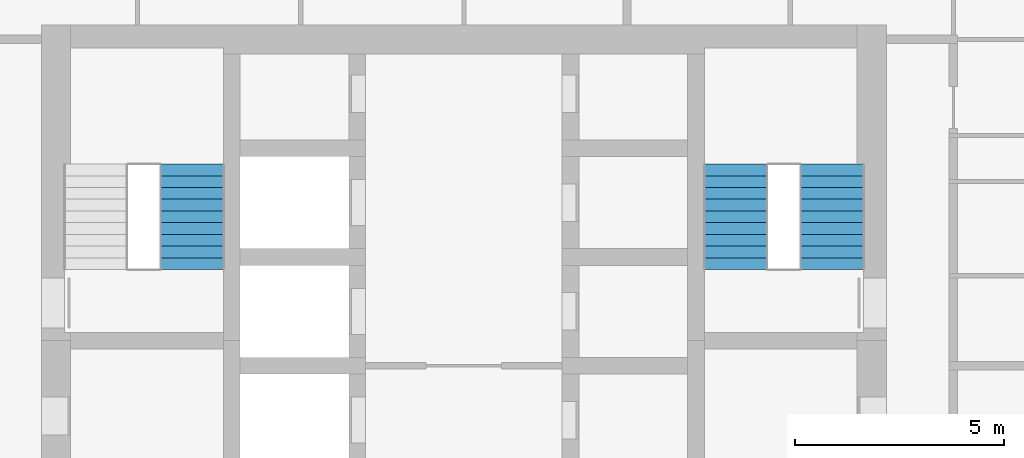
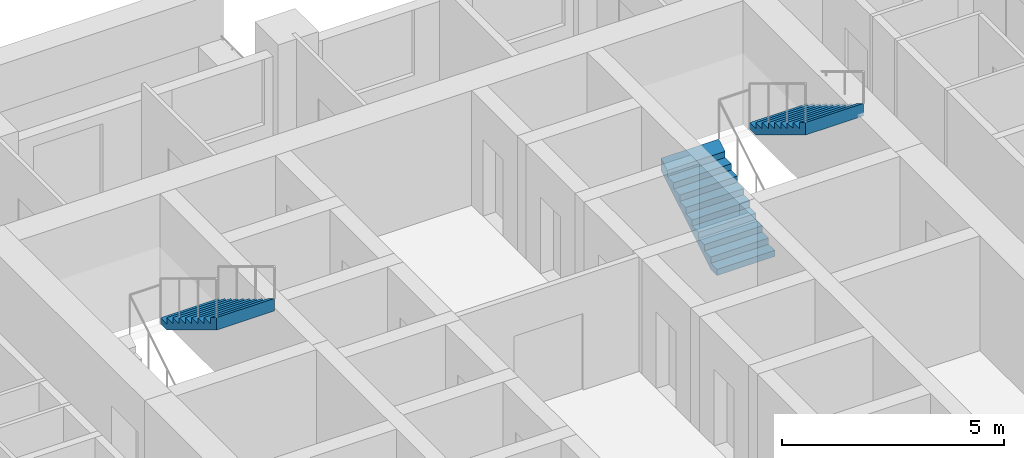
# One storey, part 15 of 17: 3 stair flights, 2 elements without a shape of their own.
"""IFC4 building model written with IfcOpenShell, lengths in metres."""

from ifc_helpers import new_model, si_unit, direction, frame, origin, place, context, subcontext, project, spatial, triangles, material, type_object, element, aggregate, save


model = new_model("IFC4")

# Units and contexts
model_context = context("Model", 3, precision=1e-05, world=origin(), true_north=direction((0.0, 1.0)))
body_context = subcontext(model_context, "Body", "Model", "MODEL_VIEW")
ifc_project = project(units=[si_unit("LENGTHUNIT", "METRE"), si_unit("AREAUNIT", "SQUARE_METRE"), si_unit("VOLUMEUNIT", "CUBIC_METRE"), si_unit("PLANEANGLEUNIT", "RADIAN"), si_unit("MASSUNIT", "GRAM", prefix="KILO")], contexts=[model_context])

# Site, building, storey
site_placement = place(None, origin())
site = spatial("IfcSite", under=ifc_project, at=site_placement, CompositionType="ELEMENT")
building_placement = place(site_placement, origin())
building = spatial("IfcBuilding", under=site, at=building_placement, Name="Ludao Terraces", CompositionType="ELEMENT")
storey_placement = place(building_placement, frame((0.0, 0.0, 22.89990234375)))
storey = spatial("IfcBuildingStorey", under=building, at=storey_placement, Name="L05", CompositionType="ELEMENT", Elevation=22.89990234375)

# Stair, stair flight
ifc_material = material(Name="Concrete C40", Category="concrete")
stair_type = type_object("IfcStairType", Name="INT Stair", PredefinedType="HALF_TURN_STAIR", material=ifc_material)
stair_1_placement = place(storey_placement, origin())
stair_1 = element("IfcStair", 1, at=stair_1_placement, inside=storey, type_object=stair_type, Name="EXIT STAIR 1", PredefinedType="HALF_TURN_STAIR")
stair_flight_type = type_object("IfcStairFlightType", Name="INT Stair flight", PredefinedType="STRAIGHT", material=ifc_material)
stair_flight_1_placement = place(storey_placement, frame((78.5, 81.52001953125, 1.7001953125), z_axis=(0.0, 0.0, 1.0), x_axis=(0.0, -1.0, 0.0)))
stair_flight_1 = element("IfcStairFlight", 2, at=stair_flight_1_placement, type_object=stair_flight_type, Name="ST1 flight 2", NumberOfRisers=10, NumberOfTreads=9, PredefinedType="STRAIGHT", RiserHeight=0.17, TreadLength=0.28, context=body_context, shape_type="Tessellation", body=[
    triangles([(0.0, -0.75, 0.0), (0.0, -0.5, 0.0), (0.0, -0.25, 0.0), (0.0, 0.0, 0.0), (0.0, 0.25, 0.0), (0.0, 0.5, 0.0), (0.0, 0.75, 0.0), (0.0, -0.75, 0.169921875), (0.0, -0.5, 0.169921875), (0.0, -0.25, 0.169921875), (0.0, 0.0, 0.169921875), (0.0, 0.25, 0.169921875), (0.0, 0.5, 0.169921875), (0.0, 0.75, 0.169921875), (0.280029296875, -0.75, 0.169921875), (0.280029296875, -0.5, 0.169921875), (0.280029296875, -0.25, 0.169921875), (0.280029296875, 0.0, 0.169921875), (0.280029296875, 0.25, 0.169921875), (0.280029296875, 0.5, 0.169921875), (0.280029296875, 0.75, 0.169921875), (0.280029296875, -0.75, 0.340087890625), (0.280029296875, -0.5, 0.340087890625), (0.280029296875, -0.25, 0.340087890625), (0.280029296875, 0.0, 0.340087890625), (0.280029296875, 0.25, 0.340087890625), (0.280029296875, 0.5, 0.340087890625), (0.280029296875, 0.75, 0.340087890625), (0.56005859375, -0.75, 0.340087890625), (0.56005859375, -0.5, 0.340087890625), (0.56005859375, -0.25, 0.340087890625), (0.56005859375, 0.0, 0.340087890625), (0.56005859375, 0.25, 0.340087890625), (0.56005859375, 0.5, 0.340087890625), (0.56005859375, 0.75, 0.340087890625), (0.56005859375, -0.75, 0.510009765625), (0.56005859375, -0.5, 0.510009765625), (0.56005859375, -0.25, 0.510009765625), (0.56005859375, 0.0, 0.510009765625), (0.56005859375, 0.25, 0.510009765625), (0.56005859375, 0.5, 0.510009765625), (0.56005859375, 0.75, 0.510009765625), (0.840087890625, -0.75, 0.510009765625), (0.840087890625, -0.5, 0.510009765625), (0.840087890625, -0.25, 0.510009765625), (0.840087890625, 0.0, 0.510009765625), (0.840087890625, 0.25, 0.510009765625), (0.840087890625, 0.5, 0.510009765625), (0.840087890625, 0.75, 0.510009765625), (0.840087890625, -0.75, 0.679931640625), (0.840087890625, -0.5, 0.679931640625), (0.840087890625, -0.25, 0.679931640625), (0.840087890625, 0.0, 0.679931640625), (0.840087890625, 0.25, 0.679931640625), (0.840087890625, 0.5, 0.679931640625), (0.840087890625, 0.75, 0.679931640625), (1.1201171875, -0.75, 0.679931640625), (1.1201171875, -0.5, 0.679931640625), (1.1201171875, -0.25, 0.679931640625), (1.1201171875, 0.0, 0.679931640625), (1.1201171875, 0.25, 0.679931640625), (1.1201171875, 0.5, 0.679931640625), (1.1201171875, 0.75, 0.679931640625), (1.1201171875, -0.75, 0.85009765625), (1.1201171875, -0.5, 0.85009765625), (1.1201171875, -0.25, 0.85009765625), (1.1201171875, 0.0, 0.85009765625), (1.1201171875, 0.25, 0.85009765625), (1.1201171875, 0.5, 0.85009765625), (1.1201171875, 0.75, 0.85009765625), (1.39990234375, -0.75, 0.85009765625), (1.39990234375, -0.5, 0.85009765625), (1.39990234375, -0.25, 0.85009765625), (1.39990234375, 0.0, 0.85009765625), (1.39990234375, 0.25, 0.85009765625), (1.39990234375, 0.5, 0.85009765625), (1.39990234375, 0.75, 0.85009765625), (1.39990234375, -0.75, 1.02001953125), (1.39990234375, -0.5, 1.02001953125), (1.39990234375, -0.25, 1.02001953125), (1.39990234375, 0.0, 1.02001953125), (1.39990234375, 0.25, 1.02001953125), (1.39990234375, 0.5, 1.02001953125), (1.39990234375, 0.75, 1.02001953125), (1.679931640625, -0.75, 1.02001953125), (1.679931640625, -0.5, 1.02001953125), (1.679931640625, -0.25, 1.02001953125), (1.679931640625, 0.0, 1.02001953125), (1.679931640625, 0.25, 1.02001953125), (1.679931640625, 0.5, 1.02001953125), (1.679931640625, 0.75, 1.02001953125), (1.679931640625, -0.75, 1.18994140625), (1.679931640625, -0.5, 1.18994140625), (1.679931640625, -0.25, 1.18994140625), (1.679931640625, 0.0, 1.18994140625), (1.679931640625, 0.25, 1.18994140625), (1.679931640625, 0.5, 1.18994140625), (1.679931640625, 0.75, 1.18994140625), (1.9599609375, -0.75, 1.18994140625), (1.9599609375, -0.5, 1.18994140625), (1.9599609375, -0.25, 1.18994140625), (1.9599609375, 0.0, 1.18994140625), (1.9599609375, 0.25, 1.18994140625), (1.9599609375, 0.5, 1.18994140625), (1.9599609375, 0.75, 1.18994140625), (1.9599609375, -0.75, 1.360107421875), (1.9599609375, -0.5, 1.360107421875), (1.9599609375, -0.25, 1.360107421875), (1.9599609375, 0.0, 1.360107421875), (1.9599609375, 0.25, 1.360107421875), (1.9599609375, 0.5, 1.360107421875), (1.9599609375, 0.75, 1.360107421875), (2.239990234375, -0.75, 1.360107421875), (2.239990234375, -0.5, 1.360107421875), (2.239990234375, -0.25, 1.360107421875), (2.239990234375, 0.0, 1.360107421875), (2.239990234375, 0.25, 1.360107421875), (2.239990234375, 0.5, 1.360107421875), (2.239990234375, 0.75, 1.360107421875), (2.239990234375, -0.75, 1.530029296875), (2.239990234375, -0.5, 1.530029296875), (2.239990234375, -0.25, 1.530029296875), (2.239990234375, 0.0, 1.530029296875), (2.239990234375, 0.25, 1.530029296875), (2.239990234375, 0.5, 1.530029296875), (2.239990234375, 0.75, 1.530029296875), (2.52001953125, -0.75, 1.699951171875), (2.52001953125, -0.5, 1.699951171875), (2.52001953125, -0.25, 1.699951171875), (2.52001953125, 0.0, 1.699951171875), (2.52001953125, 0.25, 1.699951171875), (2.52001953125, 0.5, 1.699951171875), (2.52001953125, 0.75, 1.699951171875), (2.52001953125, -0.75, 1.354736328125), (2.52001953125, -0.5, 1.354736328125), (2.52001953125, -0.25, 1.354736328125), (2.52001953125, 0.0, 1.354736328125), (2.52001953125, 0.25, 1.354736328125), (2.52001953125, 0.5, 1.354736328125), (2.52001953125, 0.75, 1.354736328125), (0.288818359375, -0.75, 0.0), (0.288818359375, -0.5, 0.0), (0.288818359375, -0.25, 0.0), (0.288818359375, 0.0, 0.0), (0.288818359375, 0.25, 0.0), (0.288818359375, 0.5, 0.0), (0.288818359375, 0.75, 0.0)], [[1, 141, 134], [7, 140, 147], [134, 127, 120], [140, 126, 133], [134, 120, 113], [140, 119, 126], [134, 113, 106], [140, 112, 119], [134, 106, 99], [140, 105, 112], [99, 92, 85], [105, 91, 98], [134, 99, 85], [140, 91, 105], [85, 78, 71], [91, 77, 84], [134, 85, 71], [140, 77, 91], [71, 64, 57], [77, 63, 70], [134, 71, 57], [140, 63, 77], [57, 50, 43], [63, 49, 56], [134, 57, 43], [140, 49, 63], [43, 36, 29], [49, 35, 42], [134, 43, 29], [140, 35, 49], [29, 22, 15], [35, 21, 28], [134, 29, 15], [140, 21, 35], [1, 134, 15], [7, 21, 140], [15, 8, 1], [21, 7, 14], [1, 9, 2], [1, 8, 9], [2, 10, 3], [2, 9, 10], [3, 11, 4], [3, 10, 11], [4, 12, 5], [4, 11, 12], [5, 13, 6], [5, 12, 13], [6, 14, 7], [6, 13, 14], [8, 16, 9], [8, 15, 16], [9, 17, 10], [9, 16, 17], [10, 18, 11], [10, 17, 18], [11, 19, 12], [11, 18, 19], [12, 20, 13], [12, 19, 20], [13, 21, 14], [13, 20, 21], [15, 23, 16], [15, 22, 23], [16, 24, 17], [16, 23, 24], [17, 25, 18], [17, 24, 25], [18, 26, 19], [18, 25, 26], [19, 27, 20], [19, 26, 27], [20, 28, 21], [20, 27, 28], [22, 30, 23], [22, 29, 30], [23, 31, 24], [23, 30, 31], [24, 32, 25], [24, 31, 32], [25, 33, 26], [25, 32, 33], [26, 34, 27], [26, 33, 34], [27, 35, 28], [27, 34, 35], [29, 37, 30], [29, 36, 37], [30, 38, 31], [30, 37, 38], [31, 39, 32], [31, 38, 39], [32, 40, 33], [32, 39, 40], [33, 41, 34], [33, 40, 41], [34, 42, 35], [34, 41, 42], [36, 44, 37], [36, 43, 44], [37, 45, 38], [37, 44, 45], [38, 46, 39], [38, 45, 46], [39, 47, 40], [39, 46, 47], [40, 48, 41], [40, 47, 48], [41, 49, 42], [41, 48, 49], [43, 51, 44], [43, 50, 51], [44, 52, 45], [44, 51, 52], [45, 53, 46], [45, 52, 53], [46, 54, 47], [46, 53, 54], [47, 55, 48], [47, 54, 55], [48, 56, 49], [48, 55, 56], [50, 58, 51], [50, 57, 58], [51, 59, 52], [51, 58, 59], [52, 60, 53], [52, 59, 60], [53, 61, 54], [53, 60, 61], [54, 62, 55], [54, 61, 62], [55, 63, 56], [55, 62, 63], [57, 65, 58], [57, 64, 65], [58, 66, 59], [58, 65, 66], [59, 67, 60], [59, 66, 67], [60, 68, 61], [60, 67, 68], [61, 69, 62], [61, 68, 69], [62, 70, 63], [62, 69, 70], [64, 72, 65], [64, 71, 72], [65, 73, 66], [65, 72, 73], [66, 74, 67], [66, 73, 74], [67, 75, 68], [67, 74, 75], [68, 76, 69], [68, 75, 76], [69, 77, 70], [69, 76, 77], [71, 79, 72], [71, 78, 79], [72, 80, 73], [72, 79, 80], [73, 81, 74], [73, 80, 81], [74, 82, 75], [74, 81, 82], [75, 83, 76], [75, 82, 83], [76, 84, 77], [76, 83, 84], [78, 86, 79], [78, 85, 86], [79, 87, 80], [79, 86, 87], [80, 88, 81], [80, 87, 88], [81, 89, 82], [81, 88, 89], [82, 90, 83], [82, 89, 90], [83, 91, 84], [83, 90, 91], [85, 93, 86], [85, 92, 93], [86, 94, 87], [86, 93, 94], [87, 95, 88], [87, 94, 95], [88, 96, 89], [88, 95, 96], [89, 97, 90], [89, 96, 97], [90, 98, 91], [90, 97, 98], [92, 100, 93], [92, 99, 100], [93, 101, 94], [93, 100, 101], [94, 102, 95], [94, 101, 102], [95, 103, 96], [95, 102, 103], [96, 104, 97], [96, 103, 104], [97, 105, 98], [97, 104, 105], [99, 107, 100], [99, 106, 107], [100, 108, 101], [100, 107, 108], [101, 109, 102], [101, 108, 109], [102, 110, 103], [102, 109, 110], [103, 111, 104], [103, 110, 111], [104, 112, 105], [104, 111, 112], [106, 114, 107], [106, 113, 114], [107, 115, 108], [107, 114, 115], [108, 116, 109], [108, 115, 116], [109, 117, 110], [109, 116, 117], [110, 118, 111], [110, 117, 118], [111, 119, 112], [111, 118, 119], [113, 121, 114], [113, 120, 121], [114, 122, 115], [114, 121, 122], [115, 123, 116], [115, 122, 123], [116, 124, 117], [116, 123, 124], [117, 125, 118], [117, 124, 125], [118, 126, 119], [118, 125, 126], [120, 128, 121], [120, 127, 128], [121, 129, 122], [121, 128, 129], [122, 130, 123], [122, 129, 130], [123, 131, 124], [123, 130, 131], [124, 132, 125], [124, 131, 132], [125, 133, 126], [125, 132, 133], [127, 135, 128], [127, 134, 135], [128, 136, 129], [128, 135, 136], [129, 137, 130], [129, 136, 137], [130, 138, 131], [130, 137, 138], [131, 139, 132], [131, 138, 139], [132, 140, 133], [132, 139, 140], [134, 142, 135], [134, 141, 142], [135, 143, 136], [135, 142, 143], [136, 144, 137], [136, 143, 144], [137, 145, 138], [137, 144, 145], [138, 146, 139], [138, 145, 146], [139, 147, 140], [139, 146, 147], [141, 2, 142], [141, 1, 2], [142, 3, 143], [142, 2, 3], [143, 4, 144], [143, 3, 4], [144, 5, 145], [144, 4, 5], [145, 6, 146], [145, 5, 6], [146, 7, 147], [146, 6, 7]], closed=True),
])
aggregate(stair_1, [stair_flight_1])

# Stair, stair flights
stair_2_placement = place(storey_placement, origin())
stair_2 = element("IfcStair", 3, at=stair_2_placement, inside=storey, type_object=stair_type, Name="EXIT STAIR 2", PredefinedType="HALF_TURN_STAIR")
stair_flight_2_placement = place(storey_placement, frame((91.5, 79.0, 0.0), z_axis=(0.0, 0.0, 1.0), x_axis=(0.0, 1.0, 0.0)))
stair_flight_2 = element("IfcStairFlight", 4, at=stair_flight_2_placement, type_object=stair_flight_type, Name="ST2 flight 1", NumberOfRisers=10, NumberOfTreads=9, PredefinedType="STRAIGHT", RiserHeight=0.17, TreadLength=0.28, context=body_context, shape_type="Tessellation", body=[
    triangles([(0.0, -0.75, 0.0), (0.0, -0.5, 0.0), (0.0, -0.25, 0.0), (0.0, 0.0, 0.0), (0.0, 0.25, 0.0), (0.0, 0.5, 0.0), (0.0, 0.75, 0.0), (0.0, -0.75, 0.169921875), (0.0, -0.5, 0.169921875), (0.0, -0.25, 0.169921875), (0.0, 0.0, 0.169921875), (0.0, 0.25, 0.169921875), (0.0, 0.5, 0.169921875), (0.0, 0.75, 0.169921875), (0.280029296875, -0.75, 0.169921875), (0.280029296875, -0.5, 0.169921875), (0.280029296875, -0.25, 0.169921875), (0.280029296875, 0.0, 0.169921875), (0.280029296875, 0.25, 0.169921875), (0.280029296875, 0.5, 0.169921875), (0.280029296875, 0.75, 0.169921875), (0.280029296875, -0.75, 0.340087890625), (0.280029296875, -0.5, 0.340087890625), (0.280029296875, -0.25, 0.340087890625), (0.280029296875, 0.0, 0.340087890625), (0.280029296875, 0.25, 0.340087890625), (0.280029296875, 0.5, 0.340087890625), (0.280029296875, 0.75, 0.340087890625), (0.56005859375, -0.75, 0.340087890625), (0.56005859375, -0.5, 0.340087890625), (0.56005859375, -0.25, 0.340087890625), (0.56005859375, 0.0, 0.340087890625), (0.56005859375, 0.25, 0.340087890625), (0.56005859375, 0.5, 0.340087890625), (0.56005859375, 0.75, 0.340087890625), (0.56005859375, -0.75, 0.510009765625), (0.56005859375, -0.5, 0.510009765625), (0.56005859375, -0.25, 0.510009765625), (0.56005859375, 0.0, 0.510009765625), (0.56005859375, 0.25, 0.510009765625), (0.56005859375, 0.5, 0.510009765625), (0.56005859375, 0.75, 0.510009765625), (0.840087890625, -0.75, 0.510009765625), (0.840087890625, -0.5, 0.510009765625), (0.840087890625, -0.25, 0.510009765625), (0.840087890625, 0.0, 0.510009765625), (0.840087890625, 0.25, 0.510009765625), (0.840087890625, 0.5, 0.510009765625), (0.840087890625, 0.75, 0.510009765625), (0.840087890625, -0.75, 0.679931640625), (0.840087890625, -0.5, 0.679931640625), (0.840087890625, -0.25, 0.679931640625), (0.840087890625, 0.0, 0.679931640625), (0.840087890625, 0.25, 0.679931640625), (0.840087890625, 0.5, 0.679931640625), (0.840087890625, 0.75, 0.679931640625), (1.1201171875, -0.75, 0.679931640625), (1.1201171875, -0.5, 0.679931640625), (1.1201171875, -0.25, 0.679931640625), (1.1201171875, 0.0, 0.679931640625), (1.1201171875, 0.25, 0.679931640625), (1.1201171875, 0.5, 0.679931640625), (1.1201171875, 0.75, 0.679931640625), (1.1201171875, -0.75, 0.85009765625), (1.1201171875, -0.5, 0.85009765625), (1.1201171875, -0.25, 0.85009765625), (1.1201171875, 0.0, 0.85009765625), (1.1201171875, 0.25, 0.85009765625), (1.1201171875, 0.5, 0.85009765625), (1.1201171875, 0.75, 0.85009765625), (1.39990234375, -0.75, 0.85009765625), (1.39990234375, -0.5, 0.85009765625), (1.39990234375, -0.25, 0.85009765625), (1.39990234375, 0.0, 0.85009765625), (1.39990234375, 0.25, 0.85009765625), (1.39990234375, 0.5, 0.85009765625), (1.39990234375, 0.75, 0.85009765625), (1.39990234375, -0.75, 1.02001953125), (1.39990234375, -0.5, 1.02001953125), (1.39990234375, -0.25, 1.02001953125), (1.39990234375, 0.0, 1.02001953125), (1.39990234375, 0.25, 1.02001953125), (1.39990234375, 0.5, 1.02001953125), (1.39990234375, 0.75, 1.02001953125), (1.679931640625, -0.75, 1.02001953125), (1.679931640625, -0.5, 1.02001953125), (1.679931640625, -0.25, 1.02001953125), (1.679931640625, 0.0, 1.02001953125), (1.679931640625, 0.25, 1.02001953125), (1.679931640625, 0.5, 1.02001953125), (1.679931640625, 0.75, 1.02001953125), (1.679931640625, -0.75, 1.18994140625), (1.679931640625, -0.5, 1.18994140625), (1.679931640625, -0.25, 1.18994140625), (1.679931640625, 0.0, 1.18994140625), (1.679931640625, 0.25, 1.18994140625), (1.679931640625, 0.5, 1.18994140625), (1.679931640625, 0.75, 1.18994140625), (1.9599609375, -0.75, 1.18994140625), (1.9599609375, -0.5, 1.18994140625), (1.9599609375, -0.25, 1.18994140625), (1.9599609375, 0.0, 1.18994140625), (1.9599609375, 0.25, 1.18994140625), (1.9599609375, 0.5, 1.18994140625), (1.9599609375, 0.75, 1.18994140625), (1.9599609375, -0.75, 1.360107421875), (1.9599609375, -0.5, 1.360107421875), (1.9599609375, -0.25, 1.360107421875), (1.9599609375, 0.0, 1.360107421875), (1.9599609375, 0.25, 1.360107421875), (1.9599609375, 0.5, 1.360107421875), (1.9599609375, 0.75, 1.360107421875), (2.239990234375, -0.75, 1.360107421875), (2.239990234375, -0.5, 1.360107421875), (2.239990234375, -0.25, 1.360107421875), (2.239990234375, 0.0, 1.360107421875), (2.239990234375, 0.25, 1.360107421875), (2.239990234375, 0.5, 1.360107421875), (2.239990234375, 0.75, 1.360107421875), (2.239990234375, -0.75, 1.530029296875), (2.239990234375, -0.5, 1.530029296875), (2.239990234375, -0.25, 1.530029296875), (2.239990234375, 0.0, 1.530029296875), (2.239990234375, 0.25, 1.530029296875), (2.239990234375, 0.5, 1.530029296875), (2.239990234375, 0.75, 1.530029296875), (2.52001953125, -0.75, 1.699951171875), (2.52001953125, -0.5, 1.699951171875), (2.52001953125, -0.25, 1.699951171875), (2.52001953125, 0.0, 1.699951171875), (2.52001953125, 0.25, 1.699951171875), (2.52001953125, 0.5, 1.699951171875), (2.52001953125, 0.75, 1.699951171875), (2.52001953125, -0.75, 1.354736328125), (2.52001953125, -0.5, 1.354736328125), (2.52001953125, -0.25, 1.354736328125), (2.52001953125, 0.0, 1.354736328125), (2.52001953125, 0.25, 1.354736328125), (2.52001953125, 0.5, 1.354736328125), (2.52001953125, 0.75, 1.354736328125), (0.288818359375, -0.75, 0.0), (0.288818359375, -0.5, 0.0), (0.288818359375, -0.25, 0.0), (0.288818359375, 0.0, 0.0), (0.288818359375, 0.25, 0.0), (0.288818359375, 0.5, 0.0), (0.288818359375, 0.75, 0.0)], [[1, 141, 134], [7, 140, 147], [134, 127, 120], [140, 126, 133], [134, 120, 113], [140, 119, 126], [134, 113, 106], [140, 112, 119], [134, 106, 99], [140, 105, 112], [99, 92, 85], [105, 91, 98], [134, 99, 85], [140, 91, 105], [85, 78, 71], [91, 77, 84], [134, 85, 71], [140, 77, 91], [71, 64, 57], [77, 63, 70], [134, 71, 57], [140, 63, 77], [57, 50, 43], [63, 49, 56], [134, 57, 43], [140, 49, 63], [43, 36, 29], [49, 35, 42], [134, 43, 29], [140, 35, 49], [29, 22, 15], [35, 21, 28], [134, 29, 15], [140, 21, 35], [1, 134, 15], [7, 21, 140], [15, 8, 1], [21, 7, 14], [1, 9, 2], [1, 8, 9], [2, 10, 3], [2, 9, 10], [3, 11, 4], [3, 10, 11], [4, 12, 5], [4, 11, 12], [5, 13, 6], [5, 12, 13], [6, 14, 7], [6, 13, 14], [8, 16, 9], [8, 15, 16], [9, 17, 10], [9, 16, 17], [10, 18, 11], [10, 17, 18], [11, 19, 12], [11, 18, 19], [12, 20, 13], [12, 19, 20], [13, 21, 14], [13, 20, 21], [15, 23, 16], [15, 22, 23], [16, 24, 17], [16, 23, 24], [17, 25, 18], [17, 24, 25], [18, 26, 19], [18, 25, 26], [19, 27, 20], [19, 26, 27], [20, 28, 21], [20, 27, 28], [22, 30, 23], [22, 29, 30], [23, 31, 24], [23, 30, 31], [24, 32, 25], [24, 31, 32], [25, 33, 26], [25, 32, 33], [26, 34, 27], [26, 33, 34], [27, 35, 28], [27, 34, 35], [29, 37, 30], [29, 36, 37], [30, 38, 31], [30, 37, 38], [31, 39, 32], [31, 38, 39], [32, 40, 33], [32, 39, 40], [33, 41, 34], [33, 40, 41], [34, 42, 35], [34, 41, 42], [36, 44, 37], [36, 43, 44], [37, 45, 38], [37, 44, 45], [38, 46, 39], [38, 45, 46], [39, 47, 40], [39, 46, 47], [40, 48, 41], [40, 47, 48], [41, 49, 42], [41, 48, 49], [43, 51, 44], [43, 50, 51], [44, 52, 45], [44, 51, 52], [45, 53, 46], [45, 52, 53], [46, 54, 47], [46, 53, 54], [47, 55, 48], [47, 54, 55], [48, 56, 49], [48, 55, 56], [50, 58, 51], [50, 57, 58], [51, 59, 52], [51, 58, 59], [52, 60, 53], [52, 59, 60], [53, 61, 54], [53, 60, 61], [54, 62, 55], [54, 61, 62], [55, 63, 56], [55, 62, 63], [57, 65, 58], [57, 64, 65], [58, 66, 59], [58, 65, 66], [59, 67, 60], [59, 66, 67], [60, 68, 61], [60, 67, 68], [61, 69, 62], [61, 68, 69], [62, 70, 63], [62, 69, 70], [64, 72, 65], [64, 71, 72], [65, 73, 66], [65, 72, 73], [66, 74, 67], [66, 73, 74], [67, 75, 68], [67, 74, 75], [68, 76, 69], [68, 75, 76], [69, 77, 70], [69, 76, 77], [71, 79, 72], [71, 78, 79], [72, 80, 73], [72, 79, 80], [73, 81, 74], [73, 80, 81], [74, 82, 75], [74, 81, 82], [75, 83, 76], [75, 82, 83], [76, 84, 77], [76, 83, 84], [78, 86, 79], [78, 85, 86], [79, 87, 80], [79, 86, 87], [80, 88, 81], [80, 87, 88], [81, 89, 82], [81, 88, 89], [82, 90, 83], [82, 89, 90], [83, 91, 84], [83, 90, 91], [85, 93, 86], [85, 92, 93], [86, 94, 87], [86, 93, 94], [87, 95, 88], [87, 94, 95], [88, 96, 89], [88, 95, 96], [89, 97, 90], [89, 96, 97], [90, 98, 91], [90, 97, 98], [92, 100, 93], [92, 99, 100], [93, 101, 94], [93, 100, 101], [94, 102, 95], [94, 101, 102], [95, 103, 96], [95, 102, 103], [96, 104, 97], [96, 103, 104], [97, 105, 98], [97, 104, 105], [99, 107, 100], [99, 106, 107], [100, 108, 101], [100, 107, 108], [101, 109, 102], [101, 108, 109], [102, 110, 103], [102, 109, 110], [103, 111, 104], [103, 110, 111], [104, 112, 105], [104, 111, 112], [106, 114, 107], [106, 113, 114], [107, 115, 108], [107, 114, 115], [108, 116, 109], [108, 115, 116], [109, 117, 110], [109, 116, 117], [110, 118, 111], [110, 117, 118], [111, 119, 112], [111, 118, 119], [113, 121, 114], [113, 120, 121], [114, 122, 115], [114, 121, 122], [115, 123, 116], [115, 122, 123], [116, 124, 117], [116, 123, 124], [117, 125, 118], [117, 124, 125], [118, 126, 119], [118, 125, 126], [120, 128, 121], [120, 127, 128], [121, 129, 122], [121, 128, 129], [122, 130, 123], [122, 129, 130], [123, 131, 124], [123, 130, 131], [124, 132, 125], [124, 131, 132], [125, 133, 126], [125, 132, 133], [127, 135, 128], [127, 134, 135], [128, 136, 129], [128, 135, 136], [129, 137, 130], [129, 136, 137], [130, 138, 131], [130, 137, 138], [131, 139, 132], [131, 138, 139], [132, 140, 133], [132, 139, 140], [134, 142, 135], [134, 141, 142], [135, 143, 136], [135, 142, 143], [136, 144, 137], [136, 143, 144], [137, 145, 138], [137, 144, 145], [138, 146, 139], [138, 145, 146], [139, 147, 140], [139, 146, 147], [141, 2, 142], [141, 1, 2], [142, 3, 143], [142, 2, 3], [143, 4, 144], [143, 3, 4], [144, 5, 145], [144, 4, 5], [145, 6, 146], [145, 5, 6], [146, 7, 147], [146, 6, 7]], closed=True),
])
stair_flight_3_placement = place(storey_placement, frame((93.800048828125, 81.52001953125, 1.7001953125), z_axis=(0.0, 0.0, 1.0), x_axis=(0.0, -1.0, 0.0)))
stair_flight_3 = element("IfcStairFlight", 5, at=stair_flight_3_placement, type_object=stair_flight_type, Name="ST2 flight 2", NumberOfRisers=10, NumberOfTreads=9, PredefinedType="STRAIGHT", RiserHeight=0.17, TreadLength=0.28, context=body_context, shape_type="Tessellation", body=[
    triangles([(0.0, -0.75, 0.0), (0.0, -0.5, 0.0), (0.0, -0.25, 0.0), (0.0, 0.0, 0.0), (0.0, 0.25, 0.0), (0.0, 0.5, 0.0), (0.0, 0.75, 0.0), (0.0, -0.75, 0.169921875), (0.0, -0.5, 0.169921875), (0.0, -0.25, 0.169921875), (0.0, 0.0, 0.169921875), (0.0, 0.25, 0.169921875), (0.0, 0.5, 0.169921875), (0.0, 0.75, 0.169921875), (0.280029296875, -0.75, 0.169921875), (0.280029296875, -0.5, 0.169921875), (0.280029296875, -0.25, 0.169921875), (0.280029296875, 0.0, 0.169921875), (0.280029296875, 0.25, 0.169921875), (0.280029296875, 0.5, 0.169921875), (0.280029296875, 0.75, 0.169921875), (0.280029296875, -0.75, 0.340087890625), (0.280029296875, -0.5, 0.340087890625), (0.280029296875, -0.25, 0.340087890625), (0.280029296875, 0.0, 0.340087890625), (0.280029296875, 0.25, 0.340087890625), (0.280029296875, 0.5, 0.340087890625), (0.280029296875, 0.75, 0.340087890625), (0.56005859375, -0.75, 0.340087890625), (0.56005859375, -0.5, 0.340087890625), (0.56005859375, -0.25, 0.340087890625), (0.56005859375, 0.0, 0.340087890625), (0.56005859375, 0.25, 0.340087890625), (0.56005859375, 0.5, 0.340087890625), (0.56005859375, 0.75, 0.340087890625), (0.56005859375, -0.75, 0.510009765625), (0.56005859375, -0.5, 0.510009765625), (0.56005859375, -0.25, 0.510009765625), (0.56005859375, 0.0, 0.510009765625), (0.56005859375, 0.25, 0.510009765625), (0.56005859375, 0.5, 0.510009765625), (0.56005859375, 0.75, 0.510009765625), (0.840087890625, -0.75, 0.510009765625), (0.840087890625, -0.5, 0.510009765625), (0.840087890625, -0.25, 0.510009765625), (0.840087890625, 0.0, 0.510009765625), (0.840087890625, 0.25, 0.510009765625), (0.840087890625, 0.5, 0.510009765625), (0.840087890625, 0.75, 0.510009765625), (0.840087890625, -0.75, 0.679931640625), (0.840087890625, -0.5, 0.679931640625), (0.840087890625, -0.25, 0.679931640625), (0.840087890625, 0.0, 0.679931640625), (0.840087890625, 0.25, 0.679931640625), (0.840087890625, 0.5, 0.679931640625), (0.840087890625, 0.75, 0.679931640625), (1.1201171875, -0.75, 0.679931640625), (1.1201171875, -0.5, 0.679931640625), (1.1201171875, -0.25, 0.679931640625), (1.1201171875, 0.0, 0.679931640625), (1.1201171875, 0.25, 0.679931640625), (1.1201171875, 0.5, 0.679931640625), (1.1201171875, 0.75, 0.679931640625), (1.1201171875, -0.75, 0.85009765625), (1.1201171875, -0.5, 0.85009765625), (1.1201171875, -0.25, 0.85009765625), (1.1201171875, 0.0, 0.85009765625), (1.1201171875, 0.25, 0.85009765625), (1.1201171875, 0.5, 0.85009765625), (1.1201171875, 0.75, 0.85009765625), (1.39990234375, -0.75, 0.85009765625), (1.39990234375, -0.5, 0.85009765625), (1.39990234375, -0.25, 0.85009765625), (1.39990234375, 0.0, 0.85009765625), (1.39990234375, 0.25, 0.85009765625), (1.39990234375, 0.5, 0.85009765625), (1.39990234375, 0.75, 0.85009765625), (1.39990234375, -0.75, 1.02001953125), (1.39990234375, -0.5, 1.02001953125), (1.39990234375, -0.25, 1.02001953125), (1.39990234375, 0.0, 1.02001953125), (1.39990234375, 0.25, 1.02001953125), (1.39990234375, 0.5, 1.02001953125), (1.39990234375, 0.75, 1.02001953125), (1.679931640625, -0.75, 1.02001953125), (1.679931640625, -0.5, 1.02001953125), (1.679931640625, -0.25, 1.02001953125), (1.679931640625, 0.0, 1.02001953125), (1.679931640625, 0.25, 1.02001953125), (1.679931640625, 0.5, 1.02001953125), (1.679931640625, 0.75, 1.02001953125), (1.679931640625, -0.75, 1.18994140625), (1.679931640625, -0.5, 1.18994140625), (1.679931640625, -0.25, 1.18994140625), (1.679931640625, 0.0, 1.18994140625), (1.679931640625, 0.25, 1.18994140625), (1.679931640625, 0.5, 1.18994140625), (1.679931640625, 0.75, 1.18994140625), (1.9599609375, -0.75, 1.18994140625), (1.9599609375, -0.5, 1.18994140625), (1.9599609375, -0.25, 1.18994140625), (1.9599609375, 0.0, 1.18994140625), (1.9599609375, 0.25, 1.18994140625), (1.9599609375, 0.5, 1.18994140625), (1.9599609375, 0.75, 1.18994140625), (1.9599609375, -0.75, 1.360107421875), (1.9599609375, -0.5, 1.360107421875), (1.9599609375, -0.25, 1.360107421875), (1.9599609375, 0.0, 1.360107421875), (1.9599609375, 0.25, 1.360107421875), (1.9599609375, 0.5, 1.360107421875), (1.9599609375, 0.75, 1.360107421875), (2.239990234375, -0.75, 1.360107421875), (2.239990234375, -0.5, 1.360107421875), (2.239990234375, -0.25, 1.360107421875), (2.239990234375, 0.0, 1.360107421875), (2.239990234375, 0.25, 1.360107421875), (2.239990234375, 0.5, 1.360107421875), (2.239990234375, 0.75, 1.360107421875), (2.239990234375, -0.75, 1.530029296875), (2.239990234375, -0.5, 1.530029296875), (2.239990234375, -0.25, 1.530029296875), (2.239990234375, 0.0, 1.530029296875), (2.239990234375, 0.25, 1.530029296875), (2.239990234375, 0.5, 1.530029296875), (2.239990234375, 0.75, 1.530029296875), (2.52001953125, -0.75, 1.699951171875), (2.52001953125, -0.5, 1.699951171875), (2.52001953125, -0.25, 1.699951171875), (2.52001953125, 0.0, 1.699951171875), (2.52001953125, 0.25, 1.699951171875), (2.52001953125, 0.5, 1.699951171875), (2.52001953125, 0.75, 1.699951171875), (2.52001953125, -0.75, 1.354736328125), (2.52001953125, -0.5, 1.354736328125), (2.52001953125, -0.25, 1.354736328125), (2.52001953125, 0.0, 1.354736328125), (2.52001953125, 0.25, 1.354736328125), (2.52001953125, 0.5, 1.354736328125), (2.52001953125, 0.75, 1.354736328125), (0.288818359375, -0.75, 0.0), (0.288818359375, -0.5, 0.0), (0.288818359375, -0.25, 0.0), (0.288818359375, 0.0, 0.0), (0.288818359375, 0.25, 0.0), (0.288818359375, 0.5, 0.0), (0.288818359375, 0.75, 0.0)], [[1, 141, 134], [7, 140, 147], [134, 127, 120], [140, 126, 133], [134, 120, 113], [140, 119, 126], [134, 113, 106], [140, 112, 119], [134, 106, 99], [140, 105, 112], [99, 92, 85], [105, 91, 98], [134, 99, 85], [140, 91, 105], [85, 78, 71], [91, 77, 84], [134, 85, 71], [140, 77, 91], [71, 64, 57], [77, 63, 70], [134, 71, 57], [140, 63, 77], [57, 50, 43], [63, 49, 56], [134, 57, 43], [140, 49, 63], [43, 36, 29], [49, 35, 42], [134, 43, 29], [140, 35, 49], [29, 22, 15], [35, 21, 28], [134, 29, 15], [140, 21, 35], [1, 134, 15], [7, 21, 140], [15, 8, 1], [21, 7, 14], [1, 9, 2], [1, 8, 9], [2, 10, 3], [2, 9, 10], [3, 11, 4], [3, 10, 11], [4, 12, 5], [4, 11, 12], [5, 13, 6], [5, 12, 13], [6, 14, 7], [6, 13, 14], [8, 16, 9], [8, 15, 16], [9, 17, 10], [9, 16, 17], [10, 18, 11], [10, 17, 18], [11, 19, 12], [11, 18, 19], [12, 20, 13], [12, 19, 20], [13, 21, 14], [13, 20, 21], [15, 23, 16], [15, 22, 23], [16, 24, 17], [16, 23, 24], [17, 25, 18], [17, 24, 25], [18, 26, 19], [18, 25, 26], [19, 27, 20], [19, 26, 27], [20, 28, 21], [20, 27, 28], [22, 30, 23], [22, 29, 30], [23, 31, 24], [23, 30, 31], [24, 32, 25], [24, 31, 32], [25, 33, 26], [25, 32, 33], [26, 34, 27], [26, 33, 34], [27, 35, 28], [27, 34, 35], [29, 37, 30], [29, 36, 37], [30, 38, 31], [30, 37, 38], [31, 39, 32], [31, 38, 39], [32, 40, 33], [32, 39, 40], [33, 41, 34], [33, 40, 41], [34, 42, 35], [34, 41, 42], [36, 44, 37], [36, 43, 44], [37, 45, 38], [37, 44, 45], [38, 46, 39], [38, 45, 46], [39, 47, 40], [39, 46, 47], [40, 48, 41], [40, 47, 48], [41, 49, 42], [41, 48, 49], [43, 51, 44], [43, 50, 51], [44, 52, 45], [44, 51, 52], [45, 53, 46], [45, 52, 53], [46, 54, 47], [46, 53, 54], [47, 55, 48], [47, 54, 55], [48, 56, 49], [48, 55, 56], [50, 58, 51], [50, 57, 58], [51, 59, 52], [51, 58, 59], [52, 60, 53], [52, 59, 60], [53, 61, 54], [53, 60, 61], [54, 62, 55], [54, 61, 62], [55, 63, 56], [55, 62, 63], [57, 65, 58], [57, 64, 65], [58, 66, 59], [58, 65, 66], [59, 67, 60], [59, 66, 67], [60, 68, 61], [60, 67, 68], [61, 69, 62], [61, 68, 69], [62, 70, 63], [62, 69, 70], [64, 72, 65], [64, 71, 72], [65, 73, 66], [65, 72, 73], [66, 74, 67], [66, 73, 74], [67, 75, 68], [67, 74, 75], [68, 76, 69], [68, 75, 76], [69, 77, 70], [69, 76, 77], [71, 79, 72], [71, 78, 79], [72, 80, 73], [72, 79, 80], [73, 81, 74], [73, 80, 81], [74, 82, 75], [74, 81, 82], [75, 83, 76], [75, 82, 83], [76, 84, 77], [76, 83, 84], [78, 86, 79], [78, 85, 86], [79, 87, 80], [79, 86, 87], [80, 88, 81], [80, 87, 88], [81, 89, 82], [81, 88, 89], [82, 90, 83], [82, 89, 90], [83, 91, 84], [83, 90, 91], [85, 93, 86], [85, 92, 93], [86, 94, 87], [86, 93, 94], [87, 95, 88], [87, 94, 95], [88, 96, 89], [88, 95, 96], [89, 97, 90], [89, 96, 97], [90, 98, 91], [90, 97, 98], [92, 100, 93], [92, 99, 100], [93, 101, 94], [93, 100, 101], [94, 102, 95], [94, 101, 102], [95, 103, 96], [95, 102, 103], [96, 104, 97], [96, 103, 104], [97, 105, 98], [97, 104, 105], [99, 107, 100], [99, 106, 107], [100, 108, 101], [100, 107, 108], [101, 109, 102], [101, 108, 109], [102, 110, 103], [102, 109, 110], [103, 111, 104], [103, 110, 111], [104, 112, 105], [104, 111, 112], [106, 114, 107], [106, 113, 114], [107, 115, 108], [107, 114, 115], [108, 116, 109], [108, 115, 116], [109, 117, 110], [109, 116, 117], [110, 118, 111], [110, 117, 118], [111, 119, 112], [111, 118, 119], [113, 121, 114], [113, 120, 121], [114, 122, 115], [114, 121, 122], [115, 123, 116], [115, 122, 123], [116, 124, 117], [116, 123, 124], [117, 125, 118], [117, 124, 125], [118, 126, 119], [118, 125, 126], [120, 128, 121], [120, 127, 128], [121, 129, 122], [121, 128, 129], [122, 130, 123], [122, 129, 130], [123, 131, 124], [123, 130, 131], [124, 132, 125], [124, 131, 132], [125, 133, 126], [125, 132, 133], [127, 135, 128], [127, 134, 135], [128, 136, 129], [128, 135, 136], [129, 137, 130], [129, 136, 137], [130, 138, 131], [130, 137, 138], [131, 139, 132], [131, 138, 139], [132, 140, 133], [132, 139, 140], [134, 142, 135], [134, 141, 142], [135, 143, 136], [135, 142, 143], [136, 144, 137], [136, 143, 144], [137, 145, 138], [137, 144, 145], [138, 146, 139], [138, 145, 146], [139, 147, 140], [139, 146, 147], [141, 2, 142], [141, 1, 2], [142, 3, 143], [142, 2, 3], [143, 4, 144], [143, 3, 4], [144, 5, 145], [144, 4, 5], [145, 6, 146], [145, 5, 6], [146, 7, 147], [146, 6, 7]], closed=True),
])
aggregate(stair_2, [stair_flight_2, stair_flight_3])

save(model, "model.ifc")
